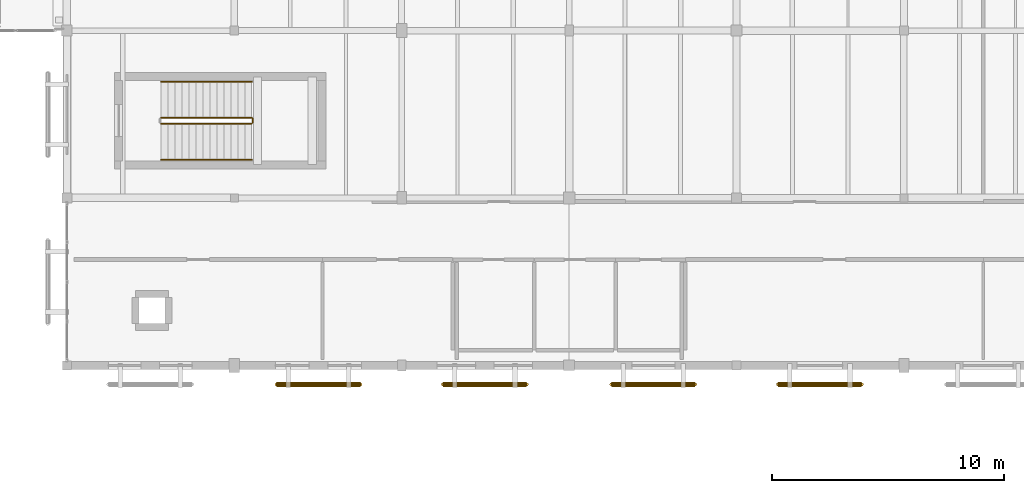
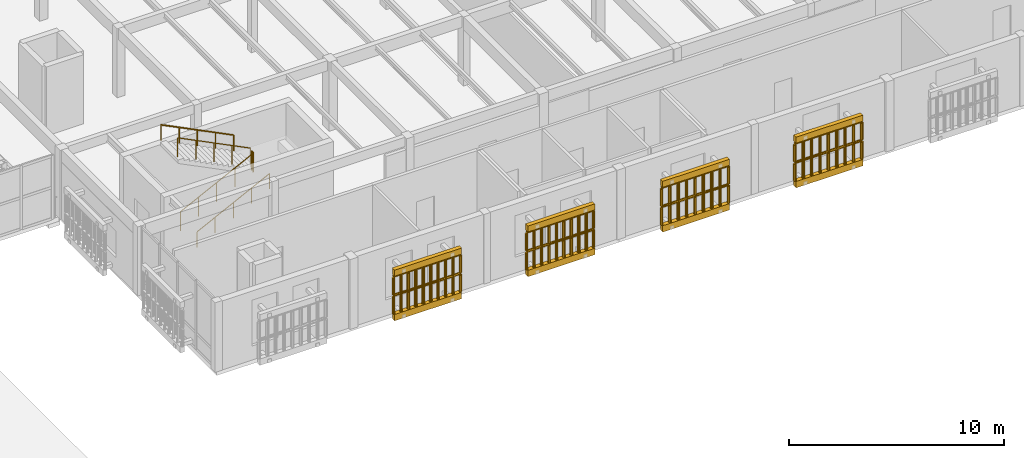
# One storey, part 210 of 217: 13 railings, 8 coverings.
"""IFC4 building model written with IfcOpenShell, lengths in metres."""

import ifcopenshell
import ifcopenshell.guid

model = None  # the IFC model being written
_history = None  # IfcOwnerHistory: only IFC2X3 demands one
_inside = {}  # id of a spatial element -> (the spatial element, [elements in it])
_under = {}  # id of a project, library or spatial element -> (it, [spatial elements below it])
_declared = {}  # id of a project -> (the project, [libraries it declares])
_typed = {}  # id of a type object -> (the type object, [elements of that type])
_made_of = {}  # id of a material, layer set ... -> (it, [elements and type objects made of it])


def new_model(schema):
    """Start an empty IFC model of exactly this schema.

    Asked for "IFC4X3", IfcOpenShell would pick the latest addendum, in which some entities
    have other attributes; the version numbers below select the first issue.
    IFC2X3 requires an IfcOwnerHistory on every rooted entity: one is made here for all.
    """
    global model, _history
    if schema == "IFC4X3":
        model = ifcopenshell.file(schema_version=(4, 3, 0, 0))
    else:
        model = ifcopenshell.file(schema=schema)
    _inside.clear()
    _under.clear()
    _declared.clear()
    _typed.clear()
    _made_of.clear()
    _history = None
    if model.schema == "IFC2X3":
        org = make("IfcOrganization", Name="unknown")
        user = make(
            "IfcPersonAndOrganization",
            ThePerson=make("IfcPerson", FamilyName="unknown"),
            TheOrganization=org,
        )
        app = make(
            "IfcApplication",
            ApplicationDeveloper=org,
            Version="unknown",
            ApplicationFullName="unknown",
            ApplicationIdentifier="unknown",
        )
        _history = make(
            "IfcOwnerHistory",
            OwningUser=user,
            OwningApplication=app,
            ChangeAction="ADDED",
            CreationDate=0,
        )
    return model


def make(cls, **values):
    """One entity of the class cls with the attributes given. An attribute that is None is left unset."""
    return model.create_entity(
        cls, **{name: value for name, value in values.items() if value is not None}
    )


def rooted(cls, **values):
    """An entity with a GlobalId (a new one), such as an element, a storey or a relation."""
    return make(cls, GlobalId=ifcopenshell.guid.new(), OwnerHistory=_history, **values)


def si_unit(unit_type, name, prefix=None):
    """IfcSIUnit, for example si_unit("LENGTHUNIT", "METRE", prefix="MILLI")."""
    return make("IfcSIUnit", UnitType=unit_type, Prefix=prefix, Name=name)


def assignment(units):
    """IfcUnitAssignment: the units of a project."""
    return None if units is None else make("IfcUnitAssignment", Units=units)


def point(xyz):
    """IfcCartesianPoint."""
    return None if xyz is None else make("IfcCartesianPoint", Coordinates=xyz)


def direction(xyz):
    """IfcDirection."""
    return None if xyz is None else make("IfcDirection", DirectionRatios=xyz)


def frame(location, z_axis=None, x_axis=None):
    """IfcAxis2Placement3D, a coordinate frame: its origin and axes. An axis left out is left unset."""
    return make(
        "IfcAxis2Placement3D",
        Location=point(location),
        Axis=direction(z_axis),
        RefDirection=direction(x_axis),
    )


def frame_2d(location, x_axis=None):
    """IfcAxis2Placement2D, a coordinate frame in the plane: its origin and x axis."""
    return make(
        "IfcAxis2Placement2D", Location=point(location), RefDirection=direction(x_axis)
    )


def origin():
    """The frame at (0, 0, 0) with its axes left unset."""
    return frame((0.0, 0.0, 0.0))


def origin_2d():
    """The frame at (0, 0) in the plane with its x axis left unset."""
    return frame_2d((0.0, 0.0))


def place(relative_to, where):
    """IfcLocalPlacement: puts the frame where relative to a parent placement (None: the world)."""
    return make(
        "IfcLocalPlacement", PlacementRelTo=relative_to, RelativePlacement=where
    )


def context(
    kind, dimensions, precision=None, world=None, true_north=None, identifier=None
):
    """IfcGeometricRepresentationContext, for example the 3D "Model" context."""
    return make(
        "IfcGeometricRepresentationContext",
        ContextIdentifier=identifier,
        ContextType=kind,
        CoordinateSpaceDimension=dimensions,
        Precision=precision,
        WorldCoordinateSystem=world,
        TrueNorth=true_north,
    )


def subcontext(parent, identifier, kind, view, scale=None):
    """IfcGeometricRepresentationSubContext, for example "Body" below "Model"."""
    return make(
        "IfcGeometricRepresentationSubContext",
        ContextIdentifier=identifier,
        ContextType=kind,
        ParentContext=parent,
        TargetScale=scale,
        TargetView=view,
    )


def project(units=None, contexts=None):
    """IfcProject with its units and contexts."""
    return rooted(
        "IfcProject",
        Name="project",
        RepresentationContexts=contexts,
        UnitsInContext=assignment(units),
    )


def spatial(cls, under=None, at=None, **own):
    """A site, building, storey or space (cls), placed at a placement, below another one or the project."""
    s = rooted(cls, ObjectPlacement=at, **own)
    if under is not None:
        _under.setdefault(under.id(), (under, []))[1].append(s)
    return s


def polyline(points):
    """IfcPolyline through the points."""
    return make("IfcPolyline", Points=[point(p) for p in points])


def profile(cls, at=None, kind="AREA", **sizes):
    """A parametric profile (cls). Its sizes go by their IFC names, for example OverallWidth=200.0."""
    return make(cls, ProfileType=kind, Position=at, **sizes)


def circle(**sizes):
    """IfcCircleProfileDef."""
    return profile("IfcCircleProfileDef", **sizes)


def outline(outer, holes=None, kind="AREA"):
    """IfcArbitraryClosedProfileDef: a profile drawn as a closed curve; with holes, ...WithVoids."""
    if holes is None:
        return make("IfcArbitraryClosedProfileDef", ProfileType=kind, OuterCurve=outer)
    return make(
        "IfcArbitraryProfileDefWithVoids",
        ProfileType=kind,
        OuterCurve=outer,
        InnerCurves=holes,
    )


def extrude(swept, where, along, depth):
    """IfcExtrudedAreaSolid: the profile swept, set in the frame where, extruded along a direction by depth."""
    return make(
        "IfcExtrudedAreaSolid",
        SweptArea=swept,
        Position=where,
        ExtrudedDirection=direction(along),
        Depth=depth,
    )


def shape(context_of_items, identifier, shape_type, items):
    """IfcShapeRepresentation: the items that make up one representation, for example the "Body"."""
    return make(
        "IfcShapeRepresentation",
        ContextOfItems=context_of_items,
        RepresentationIdentifier=identifier,
        RepresentationType=shape_type,
        Items=items,
    )


def material(Name=None, Category=None):
    """IfcMaterial."""
    return make("IfcMaterial", Name=Name, Category=Category)


def layer(
    of_material, thickness, ventilated=None, Name=None, Category=None, Priority=None
):
    """IfcMaterialLayer: one layer of a wall or slab, of a material (None: an air gap)."""
    return make(
        "IfcMaterialLayer",
        Material=of_material,
        LayerThickness=thickness,
        IsVentilated=ventilated,
        Name=Name,
        Category=Category,
        Priority=Priority,
    )


def layer_set(layers, Name=None):
    """IfcMaterialLayerSet."""
    return make("IfcMaterialLayerSet", MaterialLayers=layers, LayerSetName=Name)


def made_of(thing, what):
    """Note that an element or type object is made of a material, layer set ...; save() writes the relation."""
    if what is not None:
        _made_of.setdefault(what.id(), (what, []))[1].append(thing)
    return thing


def type_object(cls, material=None, **own):
    """A type object (cls), such as IfcWallType, which elements share."""
    return made_of(rooted(cls, **own), material)


def element(
    cls,
    number,
    at=None,
    inside=None,
    cuts=None,
    type_object=None,
    material=None,
    context=None,
    identifier="Body",
    shape_type=None,
    held_by="IfcProductDefinitionShape",
    body=None,
    shapes=None,
    **own,
):
    """One element of the class cls, such as IfcWall. Its Tag is "e" and its number.

    at: its placement. inside: the storey or other place that contains it. cuts: it is an
    opening in that element (IfcRelVoidsElement). A single representation is given by context,
    identifier, shape_type and body (its items); several are given by shapes. held_by: the class
    of the entity that holds the representations. save() writes the other relations.
    """
    e = rooted(cls, Tag="e%d" % number, ObjectPlacement=at, **own)
    if body is not None:
        shapes = [shape(context, identifier, shape_type, body)]
    if shapes is not None:
        e.Representation = make(held_by, Representations=shapes)
    if inside is not None:
        _inside.setdefault(inside.id(), (inside, []))[1].append(e)
    if cuts is not None:
        rooted(
            "IfcRelVoidsElement", RelatingBuildingElement=cuts, RelatedOpeningElement=e
        )
    if type_object is not None:
        _typed.setdefault(type_object.id(), (type_object, []))[1].append(e)
    return made_of(e, material)


def aggregate(whole, parts):
    """IfcRelAggregates: a whole, such as a stair, and the parts it consists of."""
    return rooted("IfcRelAggregates", RelatingObject=whole, RelatedObjects=parts)


def save(model, path):
    """Write the relations noted so far, then the file.

    IfcRelAggregates (storeys below a building ...), IfcRelContainedInSpatialStructure (elements
    in a storey), IfcRelDefinesByType, IfcRelAssociatesMaterial and IfcRelDeclares: one each for
    every whole, place, type object, material and project.
    """
    for whole, parts in _under.values():
        aggregate(whole, parts)
    for where, things in _inside.values():
        rooted(
            "IfcRelContainedInSpatialStructure",
            RelatedElements=things,
            RelatingStructure=where,
        )
    for kind, things in _typed.values():
        rooted("IfcRelDefinesByType", RelatedObjects=things, RelatingType=kind)
    for what, things in _made_of.values():
        rooted("IfcRelAssociatesMaterial", RelatedObjects=things, RelatingMaterial=what)
    for by, libraries in _declared.values():
        rooted("IfcRelDeclares", RelatingContext=by, RelatedDefinitions=libraries)
    model.write(path)


model = new_model("IFC4")

# Units and contexts
model_context = context("Model", 3, precision=1e-05, world=origin(), true_north=direction((0.0, 1.0)))
body_context = subcontext(model_context, "Body", "Model", "MODEL_VIEW")
ifc_project = project(units=[si_unit("LENGTHUNIT", "METRE"), si_unit("AREAUNIT", "SQUARE_METRE"), si_unit("VOLUMEUNIT", "CUBIC_METRE"), si_unit("PLANEANGLEUNIT", "RADIAN"), si_unit("MASSUNIT", "GRAM", prefix="KILO")], contexts=[model_context])

# Site, building, storey
site_placement = place(None, origin())
site = spatial("IfcSite", under=ifc_project, at=site_placement, CompositionType="ELEMENT")
building_placement = place(site_placement, origin())
building = spatial("IfcBuilding", under=site, at=building_placement, Name="Mazaris Harbour Polytechnic", CompositionType="ELEMENT")
storey_placement = place(building_placement, frame((0.0, 0.0, 9.60009765625)))
storey = spatial("IfcBuildingStorey", under=building, at=storey_placement, Name="L02", CompositionType="ELEMENT", Elevation=9.60009765625)

# Railings
ifc_material_1 = material(Name="Perforated Earth-Coloured Terracotta Block", Category="masonry")
railing_type_1 = type_object("IfcRailingType", Name="Perforated Earth-Block Claustra Lattice 1040", PredefinedType="BALUSTRADE", material=ifc_material_1)
for number, where, name in (
    (1, (135.02001953125, 6.3798828125, 0.52001953125), "V2 L02 Lower Perforated Terracotta Block Screen 68"),
    (2, (135.02001953125, 6.3798828125, 1.60986328125), "V2 L02 Upper Perforated Terracotta Block Screen 68"),
    (3, (142.175048828125, 6.3798828125, 0.52001953125), "V2 L02 Lower Perforated Terracotta Block Screen 69"),
    (4, (142.175048828125, 6.3798828125, 1.60986328125), "V2 L02 Upper Perforated Terracotta Block Screen 69"),
):
    element("IfcRailing", number, at=place(storey_placement, frame(where)), inside=storey, type_object=railing_type_1, Name=name, PredefinedType="BALUSTRADE", context=body_context, shape_type="SweptSolid", body=[
        extrude(circle(Radius=0.06982421875, at=origin_2d()), frame((0.0, 0.0, 1.02001953125), z_axis=(-1.0, 0.0, 0.0), x_axis=(0.0, -1.0, 0.0)), (0.0, 0.0, 1.0), 3.60009765625),
        extrude(circle(Radius=0.074951171875, at=origin_2d()), origin(), (0.0, 0.0, 1.0), 0.9501953125),
        extrude(circle(Radius=0.074951171875, at=origin_2d()), frame((-0.39990234375, 0.0, 0.0)), (0.0, 0.0, 1.0), 0.9501953125),
        extrude(circle(Radius=0.074951171875, at=origin_2d()), frame((-0.800048828125, 0.0, 0.0)), (0.0, 0.0, 1.0), 0.9501953125),
        extrude(circle(Radius=0.074951171875, at=origin_2d()), frame((-1.199951171875, 0.0, 0.0)), (0.0, 0.0, 1.0), 0.9501953125),
        extrude(circle(Radius=0.074951171875, at=origin_2d()), frame((-1.60009765625, 0.0, 0.0)), (0.0, 0.0, 1.0), 0.9501953125),
        extrude(circle(Radius=0.074951171875, at=origin_2d()), frame((-2.0, 0.0, 0.0)), (0.0, 0.0, 1.0), 0.9501953125),
        extrude(circle(Radius=0.074951171875, at=origin_2d()), frame((-2.400146484375, 0.0, 0.0)), (0.0, 0.0, 1.0), 0.9501953125),
        extrude(circle(Radius=0.074951171875, at=origin_2d()), frame((-2.800048828125, 0.0, 0.0)), (0.0, 0.0, 1.0), 0.9501953125),
        extrude(circle(Radius=0.074951171875, at=origin_2d()), frame((-3.2001953125, 0.0, 0.0)), (0.0, 0.0, 1.0), 0.9501953125),
        extrude(circle(Radius=0.074951171875, at=origin_2d()), frame((-3.60009765625, 0.0, 0.0)), (0.0, 0.0, 1.0), 0.9501953125),
    ])
for number, where, name in (
    (5, (149.419921875, 6.3798828125, 0.52001953125), "V2 L02 Lower Perforated Terracotta Block Screen 70"),
    (6, (149.419921875, 6.3798828125, 1.60986328125), "V2 L02 Upper Perforated Terracotta Block Screen 70"),
    (7, (156.5849609375, 6.3798828125, 0.52001953125), "V2 L02 Lower Perforated Terracotta Block Screen 71"),
    (8, (156.5849609375, 6.3798828125, 1.60986328125), "V2 L02 Upper Perforated Terracotta Block Screen 71"),
):
    element("IfcRailing", number, at=place(storey_placement, frame(where)), inside=storey, type_object=railing_type_1, Name=name, PredefinedType="BALUSTRADE", context=body_context, shape_type="SweptSolid", body=[
        extrude(circle(Radius=0.06982421875, at=origin_2d()), frame((0.0, 0.0, 1.02001953125), z_axis=(-1.0, 0.0, 0.0), x_axis=(0.0, -1.0, 0.0)), (0.0, 0.0, 1.0), 3.599853515625),
        extrude(circle(Radius=0.074951171875, at=origin_2d()), origin(), (0.0, 0.0, 1.0), 0.9501953125),
        extrude(circle(Radius=0.074951171875, at=origin_2d()), frame((-0.449951171875, 0.0, 0.0)), (0.0, 0.0, 1.0), 0.9501953125),
        extrude(circle(Radius=0.074951171875, at=origin_2d()), frame((-0.89990234375, 0.0, 0.0)), (0.0, 0.0, 1.0), 0.9501953125),
        extrude(circle(Radius=0.074951171875, at=origin_2d()), frame((-1.349853515625, 0.0, 0.0)), (0.0, 0.0, 1.0), 0.9501953125),
        extrude(circle(Radius=0.074951171875, at=origin_2d()), frame((-1.7998046875, 0.0, 0.0)), (0.0, 0.0, 1.0), 0.9501953125),
        extrude(circle(Radius=0.074951171875, at=origin_2d()), frame((-2.25, 0.0, 0.0)), (0.0, 0.0, 1.0), 0.9501953125),
        extrude(circle(Radius=0.074951171875, at=origin_2d()), frame((-2.699951171875, 0.0, 0.0)), (0.0, 0.0, 1.0), 0.9501953125),
        extrude(circle(Radius=0.074951171875, at=origin_2d()), frame((-3.14990234375, 0.0, 0.0)), (0.0, 0.0, 1.0), 0.9501953125),
        extrude(circle(Radius=0.074951171875, at=origin_2d()), frame((-3.599853515625, 0.0, 0.0)), (0.0, 0.0, 1.0), 0.9501953125),
    ])
ifc_material_2 = material(Name="Stainless Steel S355", Category="steel")
railing_type_2 = type_object("IfcRailingType", Name="Stair Wall Handrail 900", PredefinedType="HANDRAIL", material=ifc_material_2)
railing_1_placement = place(storey_placement, frame((126.449951171875, 16.050048828125, 0.14990234375)))
element("IfcRailing", 9, at=railing_1_placement, inside=storey, type_object=railing_type_2, Name="L02 ST03 stair handrail 1", PredefinedType="HANDRAIL", context=body_context, shape_type="SweptSolid", body=[
    extrude(circle(Radius=0.02392578125, at=origin_2d()), frame((0.0, 0.0, 0.8759765625), z_axis=(0.894438388696, 0.0, 0.447191199406), x_axis=(0.0, 1.0, 0.0)), (0.0, 0.0, 1.0), 4.3603515625),
    extrude(circle(Radius=0.02099609375, at=origin_2d()), origin(), (0.0, 0.0, 1.0), 0.851806640625),
    extrude(circle(Radius=0.02099609375, at=origin_2d()), frame((0.97509765625, 0.0, 0.487548828125)), (0.0, 0.0, 1.0), 0.851806640625),
    extrude(circle(Radius=0.02099609375, at=origin_2d()), frame((1.9501953125, 0.0, 0.97509765625)), (0.0, 0.0, 1.0), 0.851806640625),
    extrude(circle(Radius=0.02099609375, at=origin_2d()), frame((2.925048828125, 0.0, 1.46240234375)), (0.0, 0.0, 1.0), 0.851806640625),
    extrude(circle(Radius=0.02099609375, at=origin_2d()), frame((3.900146484375, 0.0, 1.949951171875)), (0.0, 0.0, 1.0), 0.851806640625),
])
railing_2_placement = place(storey_placement, frame((130.35009765625, 19.39990234375, 2.25)))
element("IfcRailing", 10, at=railing_2_placement, inside=storey, type_object=railing_type_2, Name="L02 ST03 stair handrail 2", PredefinedType="HANDRAIL", context=body_context, shape_type="SweptSolid", body=[
    extrude(circle(Radius=0.02392578125, at=origin_2d()), frame((0.0, 0.0, 0.8759765625), z_axis=(-0.894438388696, 0.0, 0.447191199406), x_axis=(0.0, -1.0, 0.0)), (0.0, 0.0, 1.0), 4.3603515625),
    extrude(circle(Radius=0.02099609375, at=origin_2d()), origin(), (0.0, 0.0, 1.0), 0.851806640625),
    extrude(circle(Radius=0.02099609375, at=origin_2d()), frame((-0.97509765625, 0.0, 0.487548828125)), (0.0, 0.0, 1.0), 0.851806640625),
    extrude(circle(Radius=0.02099609375, at=origin_2d()), frame((-1.9501953125, 0.0, 0.97509765625)), (0.0, 0.0, 1.0), 0.851806640625),
    extrude(circle(Radius=0.02099609375, at=origin_2d()), frame((-2.925048828125, 0.0, 1.46240234375)), (0.0, 0.0, 1.0), 0.851806640625),
    extrude(circle(Radius=0.02099609375, at=origin_2d()), frame((-3.900146484375, 0.0, 1.949951171875)), (0.0, 0.0, 1.0), 0.851806640625),
])
ifc_material_3 = material(Name="Steel S355", Category="steel")
railing_type_3 = type_object("IfcRailingType", Name="Stair Well Guardrail 1100", PredefinedType="GUARDRAIL", material=ifc_material_3)
railing_3_placement = place(storey_placement, frame((126.449951171875, 17.60009765625, 0.14990234375)))
element("IfcRailing", 11, at=railing_3_placement, inside=storey, type_object=railing_type_3, Name="L02 ST03 stair guard 1", PredefinedType="GUARDRAIL", context=body_context, shape_type="SweptSolid", body=[
    extrude(circle(Radius=0.02392578125, at=origin_2d()), frame((0.0, 0.0, 1.076171875), z_axis=(0.894438388696, 0.0, 0.447191199406), x_axis=(0.0, 1.0, 0.0)), (0.0, 0.0, 1.0), 4.3603515625),
    extrude(circle(Radius=0.02099609375, at=origin_2d()), origin(), (0.0, 0.0, 1.0), 1.052001953125),
    extrude(circle(Radius=0.02099609375, at=origin_2d()), frame((0.97509765625, 0.0, 0.487548828125)), (0.0, 0.0, 1.0), 1.052001953125),
    extrude(circle(Radius=0.02099609375, at=origin_2d()), frame((1.9501953125, 0.0, 0.97509765625)), (0.0, 0.0, 1.0), 1.052001953125),
    extrude(circle(Radius=0.02099609375, at=origin_2d()), frame((2.925048828125, 0.0, 1.46240234375)), (0.0, 0.0, 1.0), 1.052001953125),
    extrude(circle(Radius=0.02099609375, at=origin_2d()), frame((3.900146484375, 0.0, 1.949951171875)), (0.0, 0.0, 1.0), 1.052001953125),
])
railing_4_placement = place(storey_placement, frame((130.39990234375, 17.64990234375, 2.099853515625)))
element("IfcRailing", 12, at=railing_4_placement, inside=storey, type_object=railing_type_3, Name="L02 ST03 stair guard 2", PredefinedType="GUARDRAIL", context=body_context, shape_type="SweptSolid", body=[
    extrude(circle(Radius=0.02392578125, at=origin_2d()), frame((0.0, 0.0, 1.076171875), z_axis=(0.0, 1.0, 0.0), x_axis=(-1.0, 0.0, 0.0)), (0.0, 0.0, 1.0), 0.150146484375),
    extrude(circle(Radius=0.02099609375, at=origin_2d()), origin(), (0.0, 0.0, 1.0), 1.052001953125),
    extrude(circle(Radius=0.02099609375, at=origin_2d()), frame((0.0, 0.150146484375, 0.0)), (0.0, 0.0, 1.0), 1.052001953125),
])
railing_5_placement = place(storey_placement, frame((130.35009765625, 17.85009765625, 2.25)))
element("IfcRailing", 13, at=railing_5_placement, inside=storey, type_object=railing_type_3, Name="L02 ST03 stair guard 3", PredefinedType="GUARDRAIL", context=body_context, shape_type="SweptSolid", body=[
    extrude(circle(Radius=0.02392578125, at=origin_2d()), frame((0.0, 0.0, 1.076171875), z_axis=(-0.894438388696, 0.0, 0.447191199406), x_axis=(0.0, -1.0, 0.0)), (0.0, 0.0, 1.0), 4.3603515625),
    extrude(circle(Radius=0.02099609375, at=origin_2d()), origin(), (0.0, 0.0, 1.0), 1.052001953125),
    extrude(circle(Radius=0.02099609375, at=origin_2d()), frame((-0.97509765625, 0.0, 0.487548828125)), (0.0, 0.0, 1.0), 1.052001953125),
    extrude(circle(Radius=0.02099609375, at=origin_2d()), frame((-1.9501953125, 0.0, 0.97509765625)), (0.0, 0.0, 1.0), 1.052001953125),
    extrude(circle(Radius=0.02099609375, at=origin_2d()), frame((-2.925048828125, 0.0, 1.46240234375)), (0.0, 0.0, 1.0), 1.052001953125),
    extrude(circle(Radius=0.02099609375, at=origin_2d()), frame((-3.900146484375, 0.0, 1.949951171875)), (0.0, 0.0, 1.0), 1.052001953125),
])

# Coverings
ifc_material_4 = material(Name="Perforated Earth-Coloured Terracotta Block", Category="masonry")
ifc_layer = layer(ifc_material_4, 0.219970703125, Name="Perforated Earth-Coloured Terracotta Block")
ifc_layer_set = layer_set([ifc_layer], Name="Perforated Earth-Coloured Terracotta Block")
covering_type = type_object("IfcCoveringType", Name="Terracotta Screen Course Cladding 220", PredefinedType="CLADDING", material=ifc_layer_set)
covering_1_placement = place(storey_placement, frame((0.0, 0.0, 0.159912109375)))
element("IfcCovering", 14, at=covering_1_placement, inside=storey, type_object=covering_type, Name="V2 L02 Perforated Screen Sill Course 68", PredefinedType="CLADDING", context=body_context, shape_type="SweptSolid", body=[
    extrude(outline(polyline([(135.02001953125, 6.489990234375), (131.419921875, 6.489990234375), (131.419921875, 6.27001953125), (135.02001953125, 6.27001953125), (135.02001953125, 6.489990234375)])), origin(), (0.0, 0.0, 1.0), 0.360107421875),
])
covering_2_placement = place(storey_placement, frame((0.0, 0.0, 2.699951171875)))
element("IfcCovering", 15, at=covering_2_placement, inside=storey, type_object=covering_type, Name="V2 L02 Perforated Screen Lintel Course 68", PredefinedType="CLADDING", context=body_context, shape_type="SweptSolid", body=[
    extrude(outline(polyline([(135.02001953125, 6.489990234375), (131.419921875, 6.489990234375), (131.419921875, 6.27001953125), (135.02001953125, 6.27001953125), (135.02001953125, 6.489990234375)])), origin(), (0.0, 0.0, 1.0), 0.33984375),
])
covering_3_placement = place(storey_placement, frame((0.0, 0.0, 0.159912109375)))
element("IfcCovering", 16, at=covering_3_placement, inside=storey, type_object=covering_type, Name="V2 L02 Perforated Screen Sill Course 69", PredefinedType="CLADDING", context=body_context, shape_type="SweptSolid", body=[
    extrude(outline(polyline([(142.175048828125, 6.489990234375), (138.574951171875, 6.489990234375), (138.574951171875, 6.27001953125), (142.175048828125, 6.27001953125), (142.175048828125, 6.489990234375)])), origin(), (0.0, 0.0, 1.0), 0.360107421875),
])
covering_4_placement = place(storey_placement, frame((0.0, 0.0, 2.699951171875)))
element("IfcCovering", 17, at=covering_4_placement, inside=storey, type_object=covering_type, Name="V2 L02 Perforated Screen Lintel Course 69", PredefinedType="CLADDING", context=body_context, shape_type="SweptSolid", body=[
    extrude(outline(polyline([(142.175048828125, 6.489990234375), (138.574951171875, 6.489990234375), (138.574951171875, 6.27001953125), (142.175048828125, 6.27001953125), (142.175048828125, 6.489990234375)])), origin(), (0.0, 0.0, 1.0), 0.33984375),
])
covering_5_placement = place(storey_placement, frame((0.0, 0.0, 0.159912109375)))
element("IfcCovering", 18, at=covering_5_placement, inside=storey, type_object=covering_type, Name="V2 L02 Perforated Screen Sill Course 70", PredefinedType="CLADDING", context=body_context, shape_type="SweptSolid", body=[
    extrude(outline(polyline([(149.419921875, 6.489990234375), (145.820068359375, 6.489990234375), (145.820068359375, 6.27001953125), (149.419921875, 6.27001953125), (149.419921875, 6.489990234375)])), origin(), (0.0, 0.0, 1.0), 0.360107421875),
])
covering_6_placement = place(storey_placement, frame((0.0, 0.0, 2.699951171875)))
element("IfcCovering", 19, at=covering_6_placement, inside=storey, type_object=covering_type, Name="V2 L02 Perforated Screen Lintel Course 70", PredefinedType="CLADDING", context=body_context, shape_type="SweptSolid", body=[
    extrude(outline(polyline([(149.419921875, 6.489990234375), (145.820068359375, 6.489990234375), (145.820068359375, 6.27001953125), (149.419921875, 6.27001953125), (149.419921875, 6.489990234375)])), origin(), (0.0, 0.0, 1.0), 0.33984375),
])
covering_7_placement = place(storey_placement, frame((0.0, 0.0, 0.159912109375)))
element("IfcCovering", 20, at=covering_7_placement, inside=storey, type_object=covering_type, Name="V2 L02 Perforated Screen Sill Course 71", PredefinedType="CLADDING", context=body_context, shape_type="SweptSolid", body=[
    extrude(outline(polyline([(156.5849609375, 6.489990234375), (152.985107421875, 6.489990234375), (152.985107421875, 6.27001953125), (156.5849609375, 6.27001953125), (156.5849609375, 6.489990234375)])), origin(), (0.0, 0.0, 1.0), 0.360107421875),
])
covering_8_placement = place(storey_placement, frame((0.0, 0.0, 2.699951171875)))
element("IfcCovering", 21, at=covering_8_placement, inside=storey, type_object=covering_type, Name="V2 L02 Perforated Screen Lintel Course 71", PredefinedType="CLADDING", context=body_context, shape_type="SweptSolid", body=[
    extrude(outline(polyline([(156.5849609375, 6.489990234375), (152.985107421875, 6.489990234375), (152.985107421875, 6.27001953125), (156.5849609375, 6.27001953125), (156.5849609375, 6.489990234375)])), origin(), (0.0, 0.0, 1.0), 0.33984375),
])

save(model, "model.ifc")
